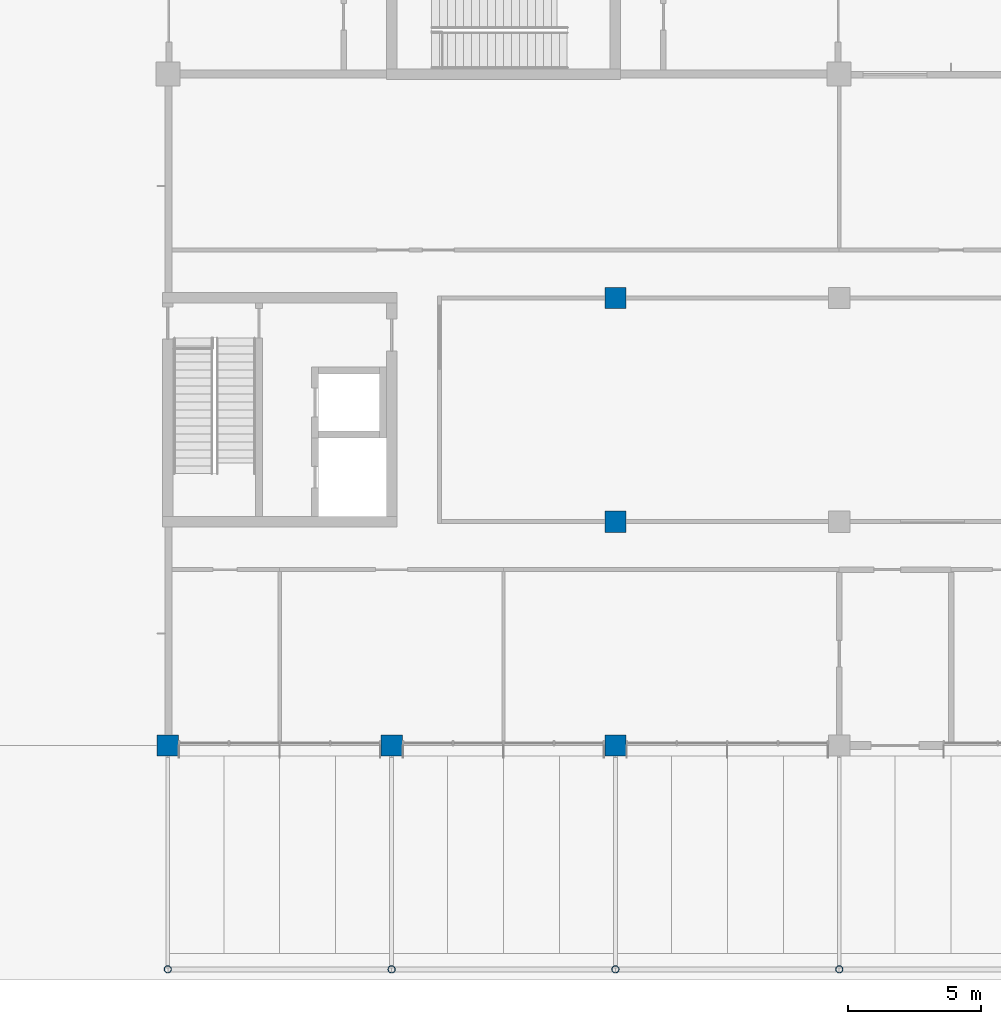
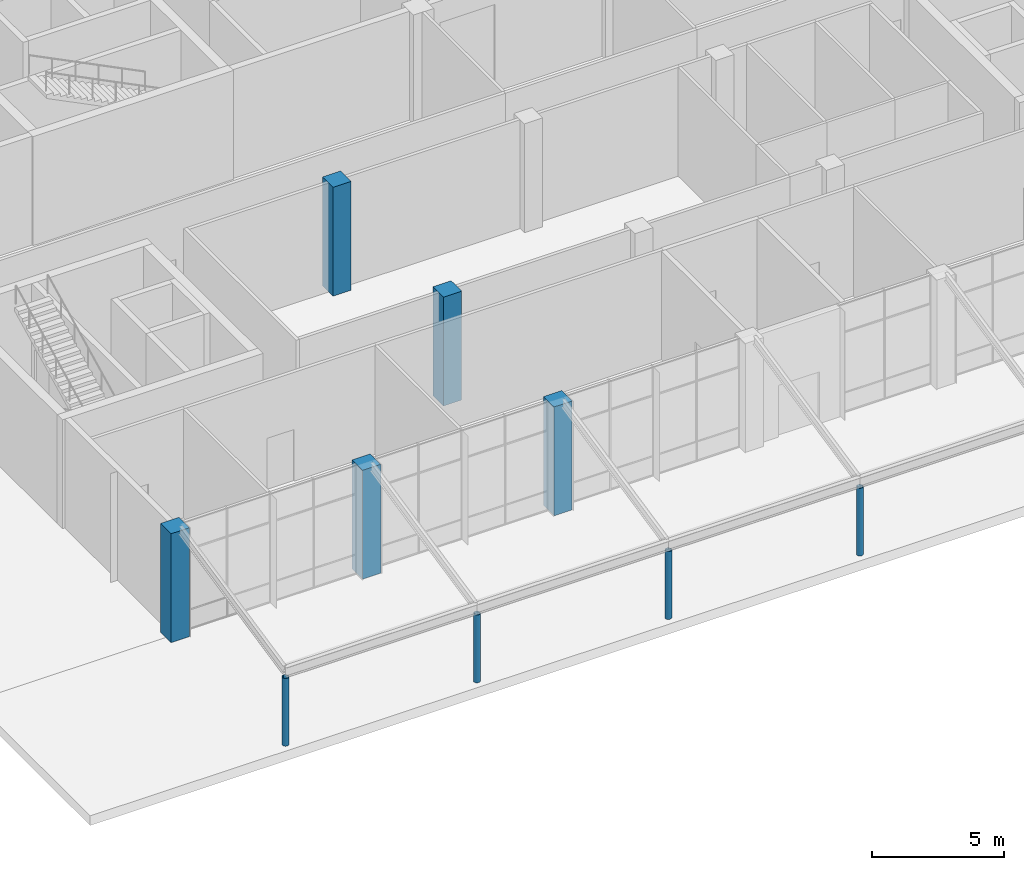
# One storey, part 1 of 76: 9 columns.
"""IFC4 building model written with IfcOpenShell, lengths in metres."""

from ifc_helpers import new_model, si_unit, direction, frame, origin, origin_2d, place, context, subcontext, project, spatial, rectangle, hollow_circle, extrude, material, material_profile, profile_set, type_object, element, save


model = new_model("IFC4")

# Units and contexts
model_context = context("Model", 3, precision=1e-05, world=origin(), true_north=direction((0.0, 1.0)))
body_context = subcontext(model_context, "Body", "Model", "MODEL_VIEW")
ifc_project = project(units=[si_unit("LENGTHUNIT", "METRE"), si_unit("AREAUNIT", "SQUARE_METRE"), si_unit("VOLUMEUNIT", "CUBIC_METRE"), si_unit("PLANEANGLEUNIT", "RADIAN"), si_unit("MASSUNIT", "GRAM", prefix="KILO")], contexts=[model_context])

# Site, building, storey
site_placement = place(None, origin())
site = spatial("IfcSite", under=ifc_project, at=site_placement, CompositionType="ELEMENT")
building_placement = place(site_placement, origin())
building = spatial("IfcBuilding", under=site, at=building_placement, Name="Hlaing Beacon Police Headquarters", CompositionType="ELEMENT")
storey_placement = place(building_placement, origin())
storey = spatial("IfcBuildingStorey", under=building, at=storey_placement, Name="L00", CompositionType="ELEMENT", Elevation=0.0)

# Columns
ifc_material_1 = material(Name="Concrete C50/60", Category="concrete")
ifc_material_profile_1 = material_profile(ifc_material_1, rectangle(XDim=0.800048828125, YDim=0.800048828125, at=origin_2d()), Name="800x800")
ifc_profile_set_1 = profile_set([ifc_material_profile_1], Name="Concrete C50/60")
column_type_1 = type_object("IfcColumnType", Name="RC column 800x800 C50/60", PredefinedType="COLUMN", material=ifc_profile_set_1)
for number, where, z_axis, x_axis, name in (
    (1, (8.39990234375, 8.39990234375, 0.0), (0.0, 0.0, 1.0), (1.0, 0.0, 0.0), "STR-COL-L00-B2"),
    (2, (16.800048828125, 8.39990234375, 0.0), (0.0, 0.0, 1.0), (1.0, 0.0, 0.0), "STR-COL-L00-C2"),
    (3, (25.199951171875, 8.39990234375, 0.0), (0.0, 0.0, 1.0), (1.0, 0.0, 0.0), "STR-COL-L00-D2"),
    (4, (25.199951171875, 16.800048828125, 0.0), (0.0, 0.0, 1.0), (1.0, 0.0, 0.0), "STR-COL-L00-D3"),
    (5, (25.199951171875, 25.199951171875, 0.0), (0.0, 0.0, 1.0), (1.0, 0.0, 0.0), "STR-COL-L00-D4"),
):
    element("IfcColumn", number, at=place(storey_placement, frame(where, z_axis=z_axis, x_axis=x_axis)), inside=storey, type_object=column_type_1, Name=name, PredefinedType="COLUMN", context=body_context, shape_type="SweptSolid", body=[
        extrude(rectangle(XDim=0.800048828125, YDim=0.800048828125, at=origin_2d()), origin(), (0.0, 0.0, 1.0), 5.050048828125),
    ])
ifc_material_2 = material(Name="Steel ASTM A500 Grade C", Category="steel")
ifc_material_profile_2 = material_profile(ifc_material_2, hollow_circle(Radius=0.136474609375, WallThickness=0.0126953125, at=origin_2d()), Name="HSS10.750x0.500")
ifc_profile_set_2 = profile_set([ifc_material_profile_2], Name="Steel ASTM A500 Grade C")
column_type_2 = type_object("IfcColumnType", Name="Steel column HSS10.750x0.500", PredefinedType="COLUMN", material=ifc_profile_set_2)
for number, where, z_axis, x_axis, name in (
    (6, (8.39990234375, 0.0, 0.0), (0.0, 0.0, 1.0), (1.0, 0.0, 0.0), "STR-CL-CL1-COL01"),
    (7, (16.800048828125, 0.0, 0.0), (0.0, 0.0, 1.0), (1.0, 0.0, 0.0), "STR-CL-CL1-COL02"),
    (8, (25.199951171875, 0.0, 0.0), (0.0, 0.0, 1.0), (1.0, 0.0, 0.0), "STR-CL-CL1-COL03"),
    (9, (33.60009765625, 0.0, 0.0), (0.0, 0.0, 1.0), (1.0, 0.0, 0.0), "STR-CL-CL1-COL04"),
):
    element("IfcColumn", number, at=place(storey_placement, frame(where, z_axis=z_axis, x_axis=x_axis)), inside=storey, type_object=column_type_2, Name=name, PredefinedType="COLUMN", context=body_context, shape_type="SweptSolid", body=[
        extrude(hollow_circle(Radius=0.136474609375, WallThickness=0.0126953125, at=origin_2d()), origin(), (0.0, 0.0, 1.0), 3.142822265625),
    ])

save(model, "model.ifc")
